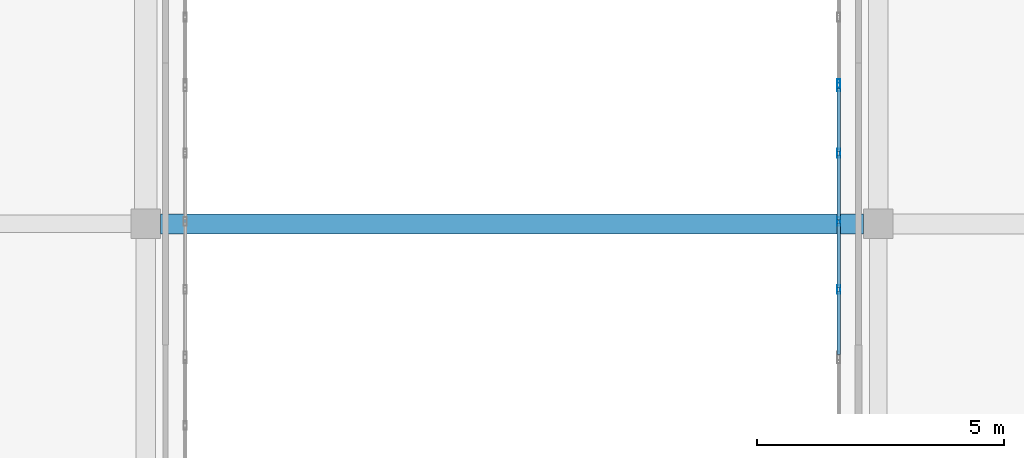
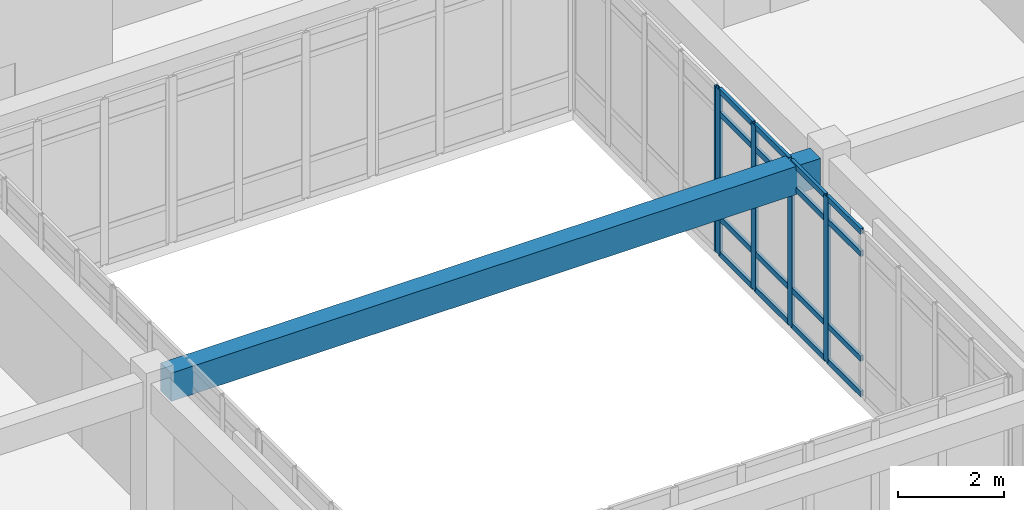
# One storey, part 98 of 146: 21 members, 1 beam, 2 elements without a shape of their own.
"""IFC4 building model written with IfcOpenShell, lengths in metres."""

from ifc_helpers import new_model, si_unit, direction, frame, origin, origin_2d, place, context, subcontext, project, spatial, rectangle, hollow_rectangle, extrude, material, layer, layer_set, material_profile, profile_set, type_object, element, aggregate, save


model = new_model("IFC4")

# Units and contexts
model_context = context("Model", 3, precision=1e-05, world=origin(), true_north=direction((0.0, 1.0)))
body_context = subcontext(model_context, "Body", "Model", "MODEL_VIEW")
ifc_project = project(units=[si_unit("LENGTHUNIT", "METRE"), si_unit("AREAUNIT", "SQUARE_METRE"), si_unit("VOLUMEUNIT", "CUBIC_METRE"), si_unit("PLANEANGLEUNIT", "RADIAN"), si_unit("MASSUNIT", "GRAM", prefix="KILO")], contexts=[model_context])

# Site, building, storey
site_placement = place(None, origin())
site = spatial("IfcSite", under=ifc_project, at=site_placement, CompositionType="ELEMENT")
building_placement = place(site_placement, origin())
building = spatial("IfcBuilding", under=site, at=building_placement, Name="Valcora Specialist Clinic", CompositionType="ELEMENT")
storey_placement = place(building_placement, frame((0.0, 0.0, 9.52001953125)))
storey = spatial("IfcBuildingStorey", under=building, at=storey_placement, Name="L02", CompositionType="ELEMENT", Elevation=9.52001953125)

# Beam
ifc_material_1 = material(Name="Concrete C40/50", Category="concrete")
ifc_material_profile_1 = material_profile(ifc_material_1, rectangle(XDim=0.39990234375, YDim=0.64990234375, at=origin_2d()), Name="RC-BM-400X650")
ifc_profile_set_1 = profile_set([ifc_material_profile_1], Name="Concrete C40/50")
beam_type = type_object("IfcBeamType", Name="TY-BM-RC400X650", PredefinedType="BEAM", material=ifc_profile_set_1)
beam_placement = place(storey_placement, frame((111.5, 90.199951171875, 3.494873046875), z_axis=(1.0, 0.0, 0.0), x_axis=(0.0, 1.0, 0.0)))
element("IfcBeam", 1, at=beam_placement, inside=storey, type_object=beam_type, Name="Beam BM-L02-0717", PredefinedType="BEAM", context=body_context, shape_type="SweptSolid", body=[
    extrude(rectangle(XDim=0.39990234375, YDim=0.64990234375, at=origin_2d()), origin(), (0.0, 0.0, 1.0), 14.199951171875),
])

# Curtain wall, members
ifc_material_2 = material(Name="Anodized Bronze Aluminium 6063-T6", Category="aluminium")
ifc_layer = layer(ifc_material_2, 0.175048828125)
ifc_layer_set = layer_set([ifc_layer], Name="Anodized Bronze Aluminium 6063-T6")
curtain_wall_type = type_object("IfcCurtainWallType", Name="TY-CW-CRT15", PredefinedType="NOTDEFINED", material=ifc_layer_set)
curtain_wall_1_placement = place(storey_placement, origin())
curtain_wall_1 = element("IfcCurtainWall", 2, at=curtain_wall_1_placement, inside=storey, type_object=curtain_wall_type, Name="Curtain wall CW-L02-109", PredefinedType="NOTDEFINED")
ifc_material_profile_2 = material_profile(ifc_material_2, hollow_rectangle(XDim=0.06494140625, YDim=0.175048828125, WallThickness=0.00390625, at=origin_2d()), Name="AL-MUL-65X175")
ifc_profile_set_2 = profile_set([ifc_material_profile_2], Name="Anodized Bronze Aluminium 6063-T6")
member_type_1 = type_object("IfcMemberType", Name="TY-CWM-65X175", PredefinedType="MULLION", material=ifc_profile_set_2)
member_1_placement = place(storey_placement, frame((125.199951171875, 88.875, 0.0), z_axis=(0.0, 0.0, 1.0), x_axis=(-1.0, 0.0, 0.0)))
member_1 = element("IfcMember", 3, at=member_1_placement, type_object=member_type_1, Name="CW-CRT-15 mullion 2", PredefinedType="MULLION", context=body_context, shape_type="SweptSolid", body=[
    extrude(hollow_rectangle(XDim=0.06494140625, YDim=0.175048828125, WallThickness=0.00390625, at=origin_2d()), origin(), (0.0, 0.0, 1.0), 3.820068359375),
])
member_2_placement = place(storey_placement, frame((125.199951171875, 90.25, 0.0), z_axis=(0.0, 0.0, 1.0), x_axis=(-1.0, 0.0, 0.0)))
member_2 = element("IfcMember", 4, at=member_2_placement, type_object=member_type_1, Name="CW-CRT-15 mullion 3", PredefinedType="MULLION", context=body_context, shape_type="SweptSolid", body=[
    extrude(hollow_rectangle(XDim=0.06494140625, YDim=0.175048828125, WallThickness=0.00390625, at=origin_2d()), origin(), (0.0, 0.0, 1.0), 3.820068359375),
])
member_3_placement = place(storey_placement, frame((125.199951171875, 91.625, 0.0), z_axis=(0.0, 0.0, 1.0), x_axis=(-1.0, 0.0, 0.0)))
member_3 = element("IfcMember", 5, at=member_3_placement, type_object=member_type_1, Name="CW-CRT-15 mullion 4", PredefinedType="MULLION", context=body_context, shape_type="SweptSolid", body=[
    extrude(hollow_rectangle(XDim=0.06494140625, YDim=0.175048828125, WallThickness=0.00390625, at=origin_2d()), origin(), (0.0, 0.0, 1.0), 3.820068359375),
])
member_4_placement = place(storey_placement, frame((125.199951171875, 92.967529296875, 0.0), z_axis=(0.0, 0.0, 1.0), x_axis=(-1.0, 0.0, 0.0)))
member_4 = element("IfcMember", 6, at=member_4_placement, type_object=member_type_1, Name="CW-CRT-15 mullion 5", PredefinedType="MULLION", context=body_context, shape_type="SweptSolid", body=[
    extrude(hollow_rectangle(XDim=0.06494140625, YDim=0.175048828125, WallThickness=0.00390625, at=origin_2d()), origin(), (0.0, 0.0, 1.0), 3.820068359375),
])

# Curtain wall, member
curtain_wall_2_placement = place(storey_placement, origin())
curtain_wall_2 = element("IfcCurtainWall", 7, at=curtain_wall_2_placement, inside=storey, type_object=curtain_wall_type, Name="Curtain wall CW-L02-110", PredefinedType="NOTDEFINED")
member_5_placement = place(storey_placement, frame((125.199951171875, 93.032470703125, 0.0), z_axis=(0.0, 0.0, 1.0), x_axis=(-1.0, 0.0, 0.0)))
member_5 = element("IfcMember", 8, at=member_5_placement, type_object=member_type_1, Name="CW-CRT-15 mullion 1", PredefinedType="MULLION", context=body_context, shape_type="SweptSolid", body=[
    extrude(hollow_rectangle(XDim=0.06494140625, YDim=0.175048828125, WallThickness=0.00390625, at=origin_2d()), origin(), (0.0, 0.0, 1.0), 3.820068359375),
])
aggregate(curtain_wall_2, [member_5])

# Member
ifc_material_profile_3 = material_profile(ifc_material_2, hollow_rectangle(XDim=0.06494140625, YDim=0.1298828125, WallThickness=0.00390625, at=origin_2d()), Name="AL-TRN-65X130")
ifc_profile_set_3 = profile_set([ifc_material_profile_3], Name="Anodized Bronze Aluminium 6063-T6")
member_type_2 = type_object("IfcMemberType", Name="TY-CWT-65X130", PredefinedType="USERDEFINED", material=ifc_profile_set_3)
member_6_placement = place(storey_placement, frame((125.199951171875, 87.56494140625, 0.032470703125), z_axis=(0.0, 1.0, 0.0), x_axis=(-1.0, 0.0, 0.0)))
member_6 = element("IfcMember", 9, at=member_6_placement, type_object=member_type_2, Name="CW-CRT-15 transom 1.1", ObjectType="TRANSOM", PredefinedType="USERDEFINED", context=body_context, shape_type="SweptSolid", body=[
    extrude(hollow_rectangle(XDim=0.06494140625, YDim=0.1298828125, WallThickness=0.00390625, at=origin_2d()), origin(), (0.0, 0.0, 1.0), 1.277587890625),
])

member_7_placement = place(storey_placement, frame((125.199951171875, 87.56494140625, 0.85009765625), z_axis=(0.0, 1.0, 0.0), x_axis=(-1.0, 0.0, 0.0)))
member_7 = element("IfcMember", 10, at=member_7_placement, type_object=member_type_2, Name="CW-CRT-15 transom 1.2", ObjectType="TRANSOM", PredefinedType="USERDEFINED", context=body_context, shape_type="SweptSolid", body=[
    extrude(hollow_rectangle(XDim=0.06494140625, YDim=0.1298828125, WallThickness=0.00390625, at=origin_2d()), origin(), (0.0, 0.0, 1.0), 1.277587890625),
])

member_8_placement = place(storey_placement, frame((125.199951171875, 87.56494140625, 3.27001953125), z_axis=(0.0, 1.0, 0.0), x_axis=(-1.0, 0.0, 0.0)))
member_8 = element("IfcMember", 11, at=member_8_placement, type_object=member_type_2, Name="CW-CRT-15 transom 1.3", ObjectType="TRANSOM", PredefinedType="USERDEFINED", context=body_context, shape_type="SweptSolid", body=[
    extrude(hollow_rectangle(XDim=0.06494140625, YDim=0.1298828125, WallThickness=0.00390625, at=origin_2d()), origin(), (0.0, 0.0, 1.0), 1.277587890625),
])

member_9_placement = place(storey_placement, frame((125.199951171875, 87.56494140625, 3.78759765625), z_axis=(0.0, 1.0, 0.0), x_axis=(-1.0, 0.0, 0.0)))
member_9 = element("IfcMember", 12, at=member_9_placement, type_object=member_type_2, Name="CW-CRT-15 transom 1.4", ObjectType="TRANSOM", PredefinedType="USERDEFINED", context=body_context, shape_type="SweptSolid", body=[
    extrude(hollow_rectangle(XDim=0.06494140625, YDim=0.1298828125, WallThickness=0.00390625, at=origin_2d()), origin(), (0.0, 0.0, 1.0), 1.277587890625),
])

member_10_placement = place(storey_placement, frame((125.199951171875, 88.907470703125, 0.032470703125), z_axis=(0.0, 1.0, 0.0), x_axis=(-1.0, 0.0, 0.0)))
member_10 = element("IfcMember", 13, at=member_10_placement, type_object=member_type_2, Name="CW-CRT-15 transom 2.1", ObjectType="TRANSOM", PredefinedType="USERDEFINED", context=body_context, shape_type="SweptSolid", body=[
    extrude(hollow_rectangle(XDim=0.06494140625, YDim=0.1298828125, WallThickness=0.00390625, at=origin_2d()), origin(), (0.0, 0.0, 1.0), 1.31005859375),
])

member_11_placement = place(storey_placement, frame((125.199951171875, 88.907470703125, 0.85009765625), z_axis=(0.0, 1.0, 0.0), x_axis=(-1.0, 0.0, 0.0)))
member_11 = element("IfcMember", 14, at=member_11_placement, type_object=member_type_2, Name="CW-CRT-15 transom 2.2", ObjectType="TRANSOM", PredefinedType="USERDEFINED", context=body_context, shape_type="SweptSolid", body=[
    extrude(hollow_rectangle(XDim=0.06494140625, YDim=0.1298828125, WallThickness=0.00390625, at=origin_2d()), origin(), (0.0, 0.0, 1.0), 1.31005859375),
])

member_12_placement = place(storey_placement, frame((125.199951171875, 88.907470703125, 3.27001953125), z_axis=(0.0, 1.0, 0.0), x_axis=(-1.0, 0.0, 0.0)))
member_12 = element("IfcMember", 15, at=member_12_placement, type_object=member_type_2, Name="CW-CRT-15 transom 2.3", ObjectType="TRANSOM", PredefinedType="USERDEFINED", context=body_context, shape_type="SweptSolid", body=[
    extrude(hollow_rectangle(XDim=0.06494140625, YDim=0.1298828125, WallThickness=0.00390625, at=origin_2d()), origin(), (0.0, 0.0, 1.0), 1.31005859375),
])

member_13_placement = place(storey_placement, frame((125.199951171875, 88.907470703125, 3.78759765625), z_axis=(0.0, 1.0, 0.0), x_axis=(-1.0, 0.0, 0.0)))
member_13 = element("IfcMember", 16, at=member_13_placement, type_object=member_type_2, Name="CW-CRT-15 transom 2.4", ObjectType="TRANSOM", PredefinedType="USERDEFINED", context=body_context, shape_type="SweptSolid", body=[
    extrude(hollow_rectangle(XDim=0.06494140625, YDim=0.1298828125, WallThickness=0.00390625, at=origin_2d()), origin(), (0.0, 0.0, 1.0), 1.31005859375),
])

member_14_placement = place(storey_placement, frame((125.199951171875, 90.282470703125, 0.032470703125), z_axis=(0.0, 1.0, 0.0), x_axis=(-1.0, 0.0, 0.0)))
member_14 = element("IfcMember", 17, at=member_14_placement, type_object=member_type_2, Name="CW-CRT-15 transom 3.1", ObjectType="TRANSOM", PredefinedType="USERDEFINED", context=body_context, shape_type="SweptSolid", body=[
    extrude(hollow_rectangle(XDim=0.06494140625, YDim=0.1298828125, WallThickness=0.00390625, at=origin_2d()), origin(), (0.0, 0.0, 1.0), 1.31005859375),
])

member_15_placement = place(storey_placement, frame((125.199951171875, 90.282470703125, 0.85009765625), z_axis=(0.0, 1.0, 0.0), x_axis=(-1.0, 0.0, 0.0)))
member_15 = element("IfcMember", 18, at=member_15_placement, type_object=member_type_2, Name="CW-CRT-15 transom 3.2", ObjectType="TRANSOM", PredefinedType="USERDEFINED", context=body_context, shape_type="SweptSolid", body=[
    extrude(hollow_rectangle(XDim=0.06494140625, YDim=0.1298828125, WallThickness=0.00390625, at=origin_2d()), origin(), (0.0, 0.0, 1.0), 1.31005859375),
])

member_16_placement = place(storey_placement, frame((125.199951171875, 90.282470703125, 3.27001953125), z_axis=(0.0, 1.0, 0.0), x_axis=(-1.0, 0.0, 0.0)))
member_16 = element("IfcMember", 19, at=member_16_placement, type_object=member_type_2, Name="CW-CRT-15 transom 3.3", ObjectType="TRANSOM", PredefinedType="USERDEFINED", context=body_context, shape_type="SweptSolid", body=[
    extrude(hollow_rectangle(XDim=0.06494140625, YDim=0.1298828125, WallThickness=0.00390625, at=origin_2d()), origin(), (0.0, 0.0, 1.0), 1.31005859375),
])

member_17_placement = place(storey_placement, frame((125.199951171875, 90.282470703125, 3.78759765625), z_axis=(0.0, 1.0, 0.0), x_axis=(-1.0, 0.0, 0.0)))
member_17 = element("IfcMember", 20, at=member_17_placement, type_object=member_type_2, Name="CW-CRT-15 transom 3.4", ObjectType="TRANSOM", PredefinedType="USERDEFINED", context=body_context, shape_type="SweptSolid", body=[
    extrude(hollow_rectangle(XDim=0.06494140625, YDim=0.1298828125, WallThickness=0.00390625, at=origin_2d()), origin(), (0.0, 0.0, 1.0), 1.31005859375),
])

member_18_placement = place(storey_placement, frame((125.199951171875, 91.657470703125, 0.032470703125), z_axis=(0.0, 1.0, 0.0), x_axis=(-1.0, 0.0, 0.0)))
member_18 = element("IfcMember", 21, at=member_18_placement, type_object=member_type_2, Name="CW-CRT-15 transom 4.1", ObjectType="TRANSOM", PredefinedType="USERDEFINED", context=body_context, shape_type="SweptSolid", body=[
    extrude(hollow_rectangle(XDim=0.06494140625, YDim=0.1298828125, WallThickness=0.00390625, at=origin_2d()), origin(), (0.0, 0.0, 1.0), 1.277587890625),
])

member_19_placement = place(storey_placement, frame((125.199951171875, 91.657470703125, 0.85009765625), z_axis=(0.0, 1.0, 0.0), x_axis=(-1.0, 0.0, 0.0)))
member_19 = element("IfcMember", 22, at=member_19_placement, type_object=member_type_2, Name="CW-CRT-15 transom 4.2", ObjectType="TRANSOM", PredefinedType="USERDEFINED", context=body_context, shape_type="SweptSolid", body=[
    extrude(hollow_rectangle(XDim=0.06494140625, YDim=0.1298828125, WallThickness=0.00390625, at=origin_2d()), origin(), (0.0, 0.0, 1.0), 1.277587890625),
])

member_20_placement = place(storey_placement, frame((125.199951171875, 91.657470703125, 3.27001953125), z_axis=(0.0, 1.0, 0.0), x_axis=(-1.0, 0.0, 0.0)))
member_20 = element("IfcMember", 23, at=member_20_placement, type_object=member_type_2, Name="CW-CRT-15 transom 4.3", ObjectType="TRANSOM", PredefinedType="USERDEFINED", context=body_context, shape_type="SweptSolid", body=[
    extrude(hollow_rectangle(XDim=0.06494140625, YDim=0.1298828125, WallThickness=0.00390625, at=origin_2d()), origin(), (0.0, 0.0, 1.0), 1.277587890625),
])

member_21_placement = place(storey_placement, frame((125.199951171875, 91.657470703125, 3.78759765625), z_axis=(0.0, 1.0, 0.0), x_axis=(-1.0, 0.0, 0.0)))
member_21 = element("IfcMember", 24, at=member_21_placement, type_object=member_type_2, Name="CW-CRT-15 transom 4.4", ObjectType="TRANSOM", PredefinedType="USERDEFINED", context=body_context, shape_type="SweptSolid", body=[
    extrude(hollow_rectangle(XDim=0.06494140625, YDim=0.1298828125, WallThickness=0.00390625, at=origin_2d()), origin(), (0.0, 0.0, 1.0), 1.277587890625),
])

aggregate(curtain_wall_1, [member_1, member_2, member_3, member_4, member_6, member_7, member_8, member_9, member_10, member_11, member_12, member_13, member_14, member_15, member_16, member_17, member_18, member_19, member_20, member_21])

save(model, "model.ifc")
